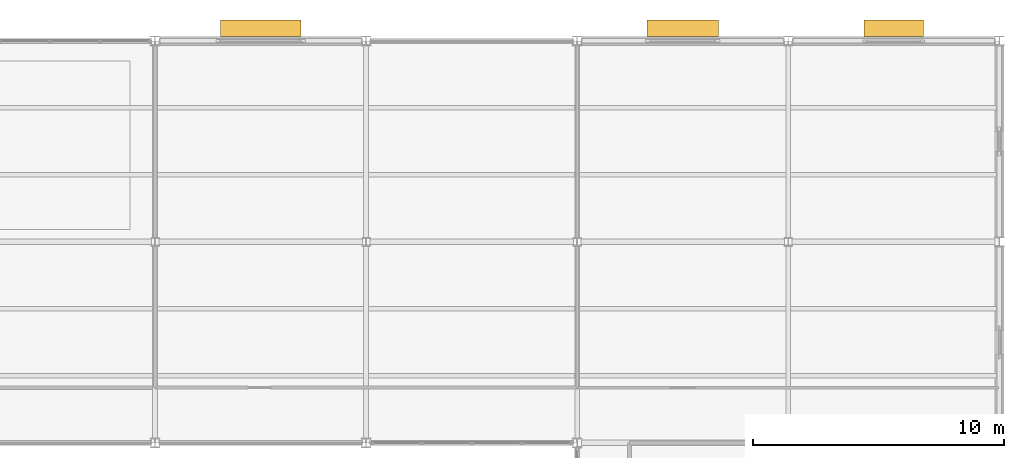
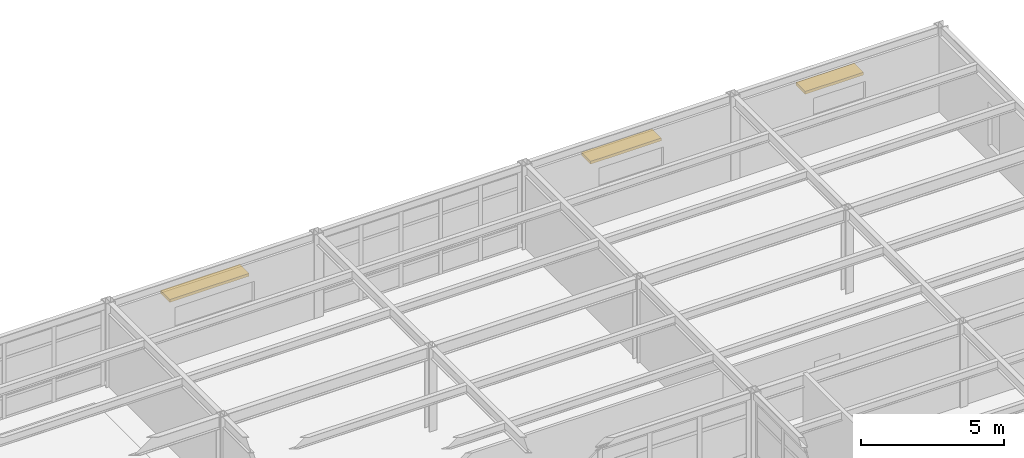
# One storey, part 96 of 96: 3 shading devices.
"""IFC4 building model written with IfcOpenShell, lengths in metres."""

from ifc_helpers import new_model, si_unit, direction, frame, origin, origin_2d, place, context, subcontext, project, spatial, rectangle, extrude, material, type_object, element, save


model = new_model("IFC4")

# Units and contexts
model_context = context("Model", 3, precision=1e-05, world=origin(), true_north=direction((0.0, 1.0)))
body_context = subcontext(model_context, "Body", "Model", "MODEL_VIEW")
ifc_project = project(units=[si_unit("LENGTHUNIT", "METRE"), si_unit("AREAUNIT", "SQUARE_METRE"), si_unit("VOLUMEUNIT", "CUBIC_METRE"), si_unit("PLANEANGLEUNIT", "RADIAN"), si_unit("MASSUNIT", "GRAM", prefix="KILO")], contexts=[model_context])

# Site, building, storey
site_placement = place(None, origin())
site = spatial("IfcSite", under=ifc_project, at=site_placement, CompositionType="ELEMENT")
building_placement = place(site_placement, origin())
building = spatial("IfcBuilding", under=site, at=building_placement, Name="Kranzveld Transit Interchange", CompositionType="ELEMENT")
storey_placement = place(building_placement, frame((0.0, 0.0, 9.52001953125)))
storey = spatial("IfcBuildingStorey", under=building, at=storey_placement, Name="L02", CompositionType="ELEMENT", Elevation=9.52001953125)

# Shading devices
ifc_material = material(Name="Bronze-anodised thermally broken aluminium", Category="aluminium")
shading_device_type = type_object("IfcShadingDeviceType", Name="North Overhang Solar Louvre Brise-Soleil", PredefinedType="JALOUSIE", material=ifc_material)
shading_device_1_placement = place(storey_placement, frame((138.60009765625, 112.5048828125, 2.449951171875), z_axis=(0.0, 0.0, 1.0), x_axis=(1.0, 0.0, 0.0)))
element("IfcShadingDevice", 1, at=shading_device_1_placement, inside=storey, type_object=shading_device_type, Name="L02 North Solar Louvre 17/Q", PredefinedType="JALOUSIE", context=body_context, shape_type="SweptSolid", body=[
    extrude(rectangle(XDim=3.199951171875, YDim=0.64990234375, at=origin_2d()), origin(), (0.0, 0.0, 1.0), 0.1201171875),
])
shading_device_2_placement = place(storey_placement, frame((155.39990234375, 112.5048828125, 2.39990234375), z_axis=(0.0, 0.0, 1.0), x_axis=(1.0, 0.0, 0.0)))
element("IfcShadingDevice", 2, at=shading_device_2_placement, inside=storey, type_object=shading_device_type, Name="L02 North Solar Louvre 19/Q", PredefinedType="JALOUSIE", context=body_context, shape_type="SweptSolid", body=[
    extrude(rectangle(XDim=2.85009765625, YDim=0.64990234375, at=origin_2d()), origin(), (0.0, 0.0, 1.0), 0.1201171875),
])
shading_device_3_placement = place(storey_placement, frame((163.800048828125, 112.5048828125, 2.349853515625), z_axis=(0.0, 0.0, 1.0), x_axis=(1.0, 0.0, 0.0)))
element("IfcShadingDevice", 3, at=shading_device_3_placement, inside=storey, type_object=shading_device_type, Name="L02 North Solar Louvre 20/Q", PredefinedType="JALOUSIE", context=body_context, shape_type="SweptSolid", body=[
    extrude(rectangle(XDim=2.35009765625, YDim=0.64990234375, at=origin_2d()), origin(), (0.0, 0.0, 1.0), 0.1201171875),
])

save(model, "model.ifc")
